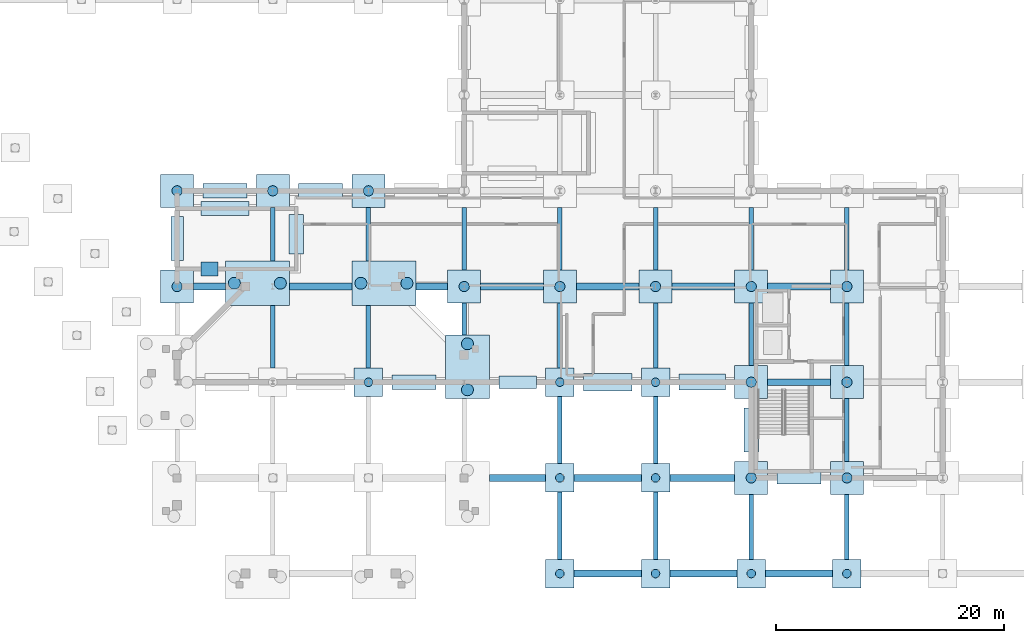
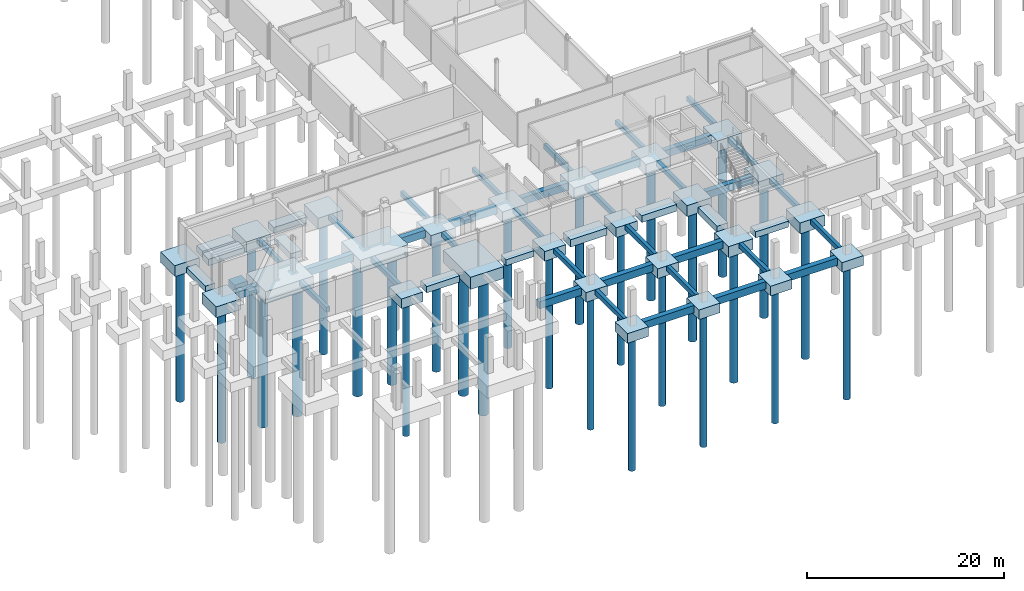
# One storey, part 2 of 43: 72 footings, 28 piles.
"""IFC4 building model written with IfcOpenShell, lengths in metres."""

from ifc_helpers import new_model, si_unit, direction, frame, origin, origin_2d, place, context, subcontext, project, spatial, rectangle, circle, extrude, material, layer, layer_set, material_profile, profile_set, type_object, element, save


model = new_model("IFC4")

# Units and contexts
model_context = context("Model", 3, precision=1e-05, world=origin(), true_north=direction((0.0, 1.0)))
body_context = subcontext(model_context, "Body", "Model", "MODEL_VIEW")
ifc_project = project(units=[si_unit("LENGTHUNIT", "METRE"), si_unit("AREAUNIT", "SQUARE_METRE"), si_unit("VOLUMEUNIT", "CUBIC_METRE"), si_unit("PLANEANGLEUNIT", "RADIAN"), si_unit("MASSUNIT", "GRAM", prefix="KILO")], contexts=[model_context])

# Site, building, storey
site_placement = place(None, origin())
site = spatial("IfcSite", under=ifc_project, at=site_placement, CompositionType="ELEMENT")
building_placement = place(site_placement, origin())
building = spatial("IfcBuilding", under=site, at=building_placement, Name="Mersafa Astral City Hall", CompositionType="ELEMENT")
storey_placement = place(building_placement, frame((0.0, 0.0, -4.5)))
storey = spatial("IfcBuildingStorey", under=building, at=storey_placement, Name="B1", CompositionType="ELEMENT", Elevation=-4.5)

# Footings
ifc_material = material(Name="Concrete C40/50", Category="concrete")
ifc_layer_1 = layer(ifc_material, 1.5, Name="Concrete C40/50")
ifc_layer_set_1 = layer_set([ifc_layer_1], Name="Concrete C40/50 — STR-FTG-PC-1-387X561X1500")
footing_type_1 = type_object("IfcFootingType", Name="STR-FTG-PC-1-387X561X1500", PredefinedType="PILE_CAP", material=ifc_layer_set_1)
footing_1_placement = place(storey_placement, frame((92.68701171875, 18.155029296875, -1.5), z_axis=(0.0, 0.0, 1.0), x_axis=(1.0, 0.0, 0.0)))
element("IfcFooting", 1, at=footing_1_placement, inside=storey, type_object=footing_type_1, Name="Reinforced concrete pile cap 24", PredefinedType="PILE_CAP", context=body_context, shape_type="SweptSolid", body=[
    extrude(rectangle(XDim=3.8740234375, YDim=5.610107421875, at=origin_2d()), origin(), (0.0, 0.0, 1.0), 1.5),
])
for number, where, z_axis, x_axis, name in (
    (2, (74.2451171875, 25.487060546875, -1.5), (0.0, 0.0, 1.0), (1.0, 0.0, 0.0), "Reinforced concrete pile cap 36"),
    (3, (85.35498046875, 25.487060546875, -1.5), (0.0, 0.0, 1.0), (1.0, 0.0, 0.0), "Reinforced concrete pile cap 37"),
):
    element("IfcFooting", number, at=place(storey_placement, frame(where, z_axis=z_axis, x_axis=x_axis)), inside=storey, type_object=footing_type_1, Name=name, PredefinedType="PILE_CAP", context=body_context, shape_type="SweptSolid", body=[
        extrude(rectangle(XDim=5.610107421875, YDim=3.8740234375, at=origin_2d()), origin(), (0.0, 0.0, 1.0), 1.5),
    ])
ifc_layer_2 = layer(ifc_material, 1.199951171875, Name="Concrete C40/50")
ifc_layer_set_2 = layer_set([ifc_layer_2], Name="Concrete C40/50 — STR-FTG-PC-2-250X250X1200")
footing_type_2 = type_object("IfcFootingType", Name="STR-FTG-PC-2-250X250X1200", PredefinedType="PILE_CAP", material=ifc_layer_set_2)
for number, where, z_axis, x_axis, name in (
    (4, (100.800048828125, 0.0, -1.2001953125), (0.0, 0.0, 1.0), (1.0, 0.0, 0.0), "Reinforced concrete pile cap 3"),
    (5, (109.199951171875, 0.0, -1.2001953125), (0.0, 0.0, 1.0), (1.0, 0.0, 0.0), "Reinforced concrete pile cap 4"),
    (6, (117.60009765625, 0.0, -1.2001953125), (0.0, 0.0, 1.0), (1.0, 0.0, 0.0), "Reinforced concrete pile cap 5"),
    (7, (126.0, 0.0, -1.2001953125), (0.0, 0.0, 1.0), (1.0, 0.0, 0.0), "Reinforced concrete pile cap 6"),
    (8, (100.800048828125, 8.39990234375, -1.2001953125), (0.0, 0.0, 1.0), (1.0, 0.0, 0.0), "Reinforced concrete pile cap 18"),
    (9, (109.199951171875, 8.39990234375, -1.2001953125), (0.0, 0.0, 1.0), (1.0, 0.0, 0.0), "Reinforced concrete pile cap 19"),
    (10, (84.0, 16.800048828125, -1.2001953125), (0.0, 0.0, 1.0), (1.0, 0.0, 0.0), "Reinforced concrete pile cap 30"),
    (11, (100.800048828125, 16.800048828125, -1.2001953125), (0.0, 0.0, 1.0), (1.0, 0.0, 0.0), "Reinforced concrete pile cap 31"),
    (12, (109.199951171875, 16.800048828125, -1.2001953125), (0.0, 0.0, 1.0), (1.0, 0.0, 0.0), "Reinforced concrete pile cap 32"),
):
    element("IfcFooting", number, at=place(storey_placement, frame(where, z_axis=z_axis, x_axis=x_axis)), inside=storey, type_object=footing_type_2, Name=name, PredefinedType="PILE_CAP", context=body_context, shape_type="SweptSolid", body=[
        extrude(rectangle(XDim=2.5, YDim=2.5, at=origin_2d()), origin(), (0.0, 0.0, 1.0), 1.199951171875),
    ])
ifc_layer_3 = layer(ifc_material, 1.35009765625, Name="Concrete C40/50")
ifc_layer_set_3 = layer_set([ifc_layer_3], Name="Concrete C40/50 — STR-FTG-PC-3-290X290X1350")
footing_type_3 = type_object("IfcFootingType", Name="STR-FTG-PC-3-290X290X1350", PredefinedType="PILE_CAP", material=ifc_layer_set_3)
for number, where, z_axis, x_axis, name in (
    (13, (117.60009765625, 8.39990234375, -1.35009765625), (0.0, 0.0, 1.0), (1.0, 0.0, 0.0), "Reinforced concrete pile cap 12"),
    (14, (126.0, 8.39990234375, -1.35009765625), (0.0, 0.0, 1.0), (1.0, 0.0, 0.0), "Reinforced concrete pile cap 13"),
    (15, (117.60009765625, 16.800048828125, -1.35009765625), (0.0, 0.0, 1.0), (1.0, 0.0, 0.0), "Reinforced concrete pile cap 25"),
    (16, (126.0, 16.800048828125, -1.35009765625), (0.0, 0.0, 1.0), (1.0, 0.0, 0.0), "Reinforced concrete pile cap 26"),
    (17, (67.199951171875, 25.199951171875, -1.35009765625), (0.0, 0.0, 1.0), (1.0, 0.0, 0.0), "Reinforced concrete pile cap 38"),
    (18, (92.39990234375, 25.199951171875, -1.35009765625), (0.0, 0.0, 1.0), (1.0, 0.0, 0.0), "Reinforced concrete pile cap 39"),
    (19, (100.800048828125, 25.199951171875, -1.35009765625), (0.0, 0.0, 1.0), (1.0, 0.0, 0.0), "Reinforced concrete pile cap 40"),
    (20, (109.199951171875, 25.199951171875, -1.35009765625), (0.0, 0.0, 1.0), (1.0, 0.0, 0.0), "Reinforced concrete pile cap 41"),
    (21, (117.60009765625, 25.199951171875, -1.35009765625), (0.0, 0.0, 1.0), (1.0, 0.0, 0.0), "Reinforced concrete pile cap 42"),
    (22, (126.0, 25.199951171875, -1.35009765625), (0.0, 0.0, 1.0), (1.0, 0.0, 0.0), "Reinforced concrete pile cap 43"),
    (23, (67.199951171875, 33.60009765625, -1.35009765625), (0.0, 0.0, 1.0), (1.0, 0.0, 0.0), "Reinforced concrete pile cap 51"),
    (24, (75.60009765625, 33.60009765625, -1.35009765625), (0.0, 0.0, 1.0), (1.0, 0.0, 0.0), "Reinforced concrete pile cap 52"),
    (25, (84.0, 33.60009765625, -1.35009765625), (0.0, 0.0, 1.0), (1.0, 0.0, 0.0), "Reinforced concrete pile cap 53"),
):
    element("IfcFooting", number, at=place(storey_placement, frame(where, z_axis=z_axis, x_axis=x_axis)), inside=storey, type_object=footing_type_3, Name=name, PredefinedType="PILE_CAP", context=body_context, shape_type="SweptSolid", body=[
        extrude(rectangle(XDim=2.89990234375, YDim=2.89990234375, at=origin_2d()), origin(), (0.0, 0.0, 1.0), 1.35009765625),
    ])
ifc_layer_4 = layer(ifc_material, 0.75, Name="Concrete C40/50")
ifc_layer_set_4 = layer_set([ifc_layer_4], Name="Concrete C40/50 — STR-FTG-STRIP-1")
footing_type_4 = type_object("IfcFootingType", Name="STR-FTG-STRIP-1", PredefinedType="STRIP_FOOTING", material=ifc_layer_set_4)
footing_2_placement = place(storey_placement, frame((121.800048828125, 8.39990234375, -0.75), z_axis=(0.0, 0.0, 1.0), x_axis=(-1.0, 0.0, 0.0)))
element("IfcFooting", 26, at=footing_2_placement, inside=storey, type_object=footing_type_4, Name="Retaining wall strip footing 92", PredefinedType="STRIP_FOOTING", context=body_context, shape_type="SweptSolid", body=[
    extrude(rectangle(XDim=3.860107421875, YDim=1.10009765625, at=origin_2d()), origin(), (0.0, 0.0, 1.0), 0.75),
])
footing_3_placement = place(storey_placement, frame((97.0869140625, 16.800048828125, -0.75), z_axis=(0.0, 0.0, 1.0), x_axis=(-1.0, 0.0, 0.0)))
element("IfcFooting", 27, at=footing_3_placement, inside=storey, type_object=footing_type_4, Name="Retaining wall strip footing 96", PredefinedType="STRIP_FOOTING", context=body_context, shape_type="SweptSolid", body=[
    extrude(rectangle(XDim=3.285888671875, YDim=1.10009765625, at=origin_2d()), origin(), (0.0, 0.0, 1.0), 0.75),
])
footing_4_placement = place(storey_placement, frame((67.199951171875, 29.39990234375, -0.75), z_axis=(0.0, 0.0, 1.0), x_axis=(0.0, 1.0, 0.0)))
element("IfcFooting", 28, at=footing_4_placement, inside=storey, type_object=footing_type_4, Name="Retaining wall strip footing 100", PredefinedType="STRIP_FOOTING", context=body_context, shape_type="SweptSolid", body=[
    extrude(rectangle(XDim=3.860107421875, YDim=1.10009765625, at=origin_2d()), origin(), (0.0, 0.0, 1.0), 0.75),
])
ifc_layer_5 = layer(ifc_material, 0.800048828125, Name="Concrete C40/50")
ifc_layer_set_5 = layer_set([ifc_layer_5], Name="Concrete C40/50 — STR-FTG-STRIP-2")
footing_type_5 = type_object("IfcFootingType", Name="STR-FTG-STRIP-2", PredefinedType="STRIP_FOOTING", material=ifc_layer_set_5)
for number, where, z_axis, x_axis, name in (
    (29, (79.800048828125, 33.60009765625, -0.7998046875), (0.0, 0.0, 1.0), (1.0, 0.0, 0.0), "Retaining wall strip footing 1"),
    (30, (117.60009765625, 12.60009765625, -0.7998046875), (0.0, 0.0, 1.0), (0.0, 1.0, 0.0), "Retaining wall strip footing 93"),
    (31, (88.0, 16.800048828125, -0.7998046875), (0.0, 0.0, 1.0), (-1.0, 0.0, 0.0), "Retaining wall strip footing 97"),
    (32, (71.39990234375, 33.60009765625, -0.7998046875), (0.0, 0.0, 1.0), (1.0, 0.0, 0.0), "Retaining wall strip footing 101"),
):
    element("IfcFooting", number, at=place(storey_placement, frame(where, z_axis=z_axis, x_axis=x_axis)), inside=storey, type_object=footing_type_5, Name=name, PredefinedType="STRIP_FOOTING", context=body_context, shape_type="SweptSolid", body=[
        extrude(rectangle(XDim=3.860107421875, YDim=1.25, at=origin_2d()), origin(), (0.0, 0.0, 1.0), 0.800048828125),
    ])
footing_5_placement = place(storey_placement, frame((70.044921875, 26.7451171875, -0.7998046875), z_axis=(0.0, 0.0, 1.0), x_axis=(1.0, 0.0, 0.0)))
element("IfcFooting", 33, at=footing_5_placement, inside=storey, type_object=footing_type_5, Name="Stair shaft K7 foundation strip footing 105", PredefinedType="STRIP_FOOTING", context=body_context, shape_type="SweptSolid", body=[
    extrude(rectangle(XDim=1.489990234375, YDim=1.25, at=origin_2d()), origin(), (0.0, 0.0, 1.0), 0.800048828125),
])
footing_6_placement = place(storey_placement, frame((77.655029296875, 29.787109375, -0.7998046875), z_axis=(0.0, 0.0, 1.0), x_axis=(0.0, 1.0, 0.0)))
element("IfcFooting", 34, at=footing_6_placement, inside=storey, type_object=footing_type_5, Name="Stair shaft K7 foundation strip footing 106", PredefinedType="STRIP_FOOTING", context=body_context, shape_type="SweptSolid", body=[
    extrude(rectangle(XDim=3.426025390625, YDim=1.25, at=origin_2d()), origin(), (0.0, 0.0, 1.0), 0.800048828125),
])
footing_7_placement = place(storey_placement, frame((71.39990234375, 32.054931640625, -0.7998046875), z_axis=(0.0, 0.0, 1.0), x_axis=(1.0, 0.0, 0.0)))
element("IfcFooting", 35, at=footing_7_placement, inside=storey, type_object=footing_type_5, Name="Stair shaft K7 foundation strip footing 107", PredefinedType="STRIP_FOOTING", context=body_context, shape_type="SweptSolid", body=[
    extrude(rectangle(XDim=4.199951171875, YDim=1.25, at=origin_2d()), origin(), (0.0, 0.0, 1.0), 0.800048828125),
])
ifc_layer_6 = layer(ifc_material, 0.85009765625, Name="Concrete C40/50")
ifc_layer_set_6 = layer_set([ifc_layer_6], Name="Concrete C40/50 — STR-FTG-STRIP-3")
footing_type_6 = type_object("IfcFootingType", Name="STR-FTG-STRIP-3", PredefinedType="STRIP_FOOTING", material=ifc_layer_set_6)
footing_8_placement = place(storey_placement, frame((113.300048828125, 16.800048828125, -0.85009765625), z_axis=(0.0, 0.0, 1.0), x_axis=(-1.0, 0.0, 0.0)))
element("IfcFooting", 36, at=footing_8_placement, inside=storey, type_object=footing_type_6, Name="Retaining wall strip footing 94", PredefinedType="STRIP_FOOTING", context=body_context, shape_type="SweptSolid", body=[
    extrude(rectangle(XDim=4.06005859375, YDim=1.39990234375, at=origin_2d()), origin(), (0.0, 0.0, 1.0), 0.85009765625),
])
ifc_layer_7 = layer(ifc_material, 0.89990234375, Name="Concrete C40/50")
ifc_layer_set_7 = layer_set([ifc_layer_7], Name="Concrete C40/50 — STR-FTG-STRIP-4")
footing_type_7 = type_object("IfcFootingType", Name="STR-FTG-STRIP-4", PredefinedType="STRIP_FOOTING", material=ifc_layer_set_7)
footing_9_placement = place(storey_placement, frame((105.0, 16.800048828125, -0.89990234375), z_axis=(0.0, 0.0, 1.0), x_axis=(-1.0, 0.0, 0.0)))
element("IfcFooting", 37, at=footing_9_placement, inside=storey, type_object=footing_type_7, Name="Retaining wall strip footing 95", PredefinedType="STRIP_FOOTING", context=body_context, shape_type="SweptSolid", body=[
    extrude(rectangle(XDim=4.260009765625, YDim=1.550048828125, at=origin_2d()), origin(), (0.0, 0.0, 1.0), 0.89990234375),
])
ifc_material_profile_1 = material_profile(ifc_material, rectangle(XDim=0.39990234375, YDim=0.60009765625, at=origin_2d()), Name="RC 400x600")
ifc_profile_set_1 = profile_set([ifc_material_profile_1], Name="Concrete C40/50")
footing_type_8 = type_object("IfcFootingType", Name="STR-FTG-TIE-400X600", PredefinedType="FOOTING_BEAM", material=ifc_profile_set_1)
footing_10_placement = place(storey_placement, frame((75.60009765625, 18.048095703125, -0.300048828125), z_axis=(0.0, 1.0, 0.0), x_axis=(-1.0, 0.0, 0.0)))
element("IfcFooting", 38, at=footing_10_placement, inside=storey, type_object=footing_type_8, Name="Reinforced concrete ground tie beam 89", PredefinedType="FOOTING_BEAM", context=body_context, shape_type="SweptSolid", body=[
    extrude(rectangle(XDim=0.39990234375, YDim=0.60009765625, at=origin_2d()), origin(), (0.0, 0.0, 1.0), 5.50390625),
])
footing_11_placement = place(storey_placement, frame((75.60009765625, 27.422119140625, -0.300048828125), z_axis=(0.0, 1.0, 0.0), x_axis=(-1.0, 0.0, 0.0)))
element("IfcFooting", 39, at=footing_11_placement, inside=storey, type_object=footing_type_8, Name="Reinforced concrete ground tie beam 91", PredefinedType="FOOTING_BEAM", context=body_context, shape_type="SweptSolid", body=[
    extrude(rectangle(XDim=0.39990234375, YDim=0.60009765625, at=origin_2d()), origin(), (0.0, 0.0, 1.0), 4.72998046875),
])
footing_12_placement = place(storey_placement, frame((84.0, 18.048095703125, -0.300048828125), z_axis=(0.0, 1.0, 0.0), x_axis=(-1.0, 0.0, 0.0)))
element("IfcFooting", 40, at=footing_12_placement, inside=storey, type_object=footing_type_8, Name="Reinforced concrete ground tie beam 99", PredefinedType="FOOTING_BEAM", context=body_context, shape_type="SweptSolid", body=[
    extrude(rectangle(XDim=0.39990234375, YDim=0.60009765625, at=origin_2d()), origin(), (0.0, 0.0, 1.0), 5.50390625),
])
footing_13_placement = place(storey_placement, frame((84.0, 27.422119140625, -0.300048828125), z_axis=(0.0, 1.0, 0.0), x_axis=(-1.0, 0.0, 0.0)))
element("IfcFooting", 41, at=footing_13_placement, inside=storey, type_object=footing_type_8, Name="Reinforced concrete ground tie beam 101", PredefinedType="FOOTING_BEAM", context=body_context, shape_type="SweptSolid", body=[
    extrude(rectangle(XDim=0.39990234375, YDim=0.60009765625, at=origin_2d()), origin(), (0.0, 0.0, 1.0), 4.72998046875),
])
footing_14_placement = place(storey_placement, frame((92.39990234375, 20.9580078125, -0.300048828125), z_axis=(0.0, 1.0, 0.0), x_axis=(-1.0, 0.0, 0.0)))
element("IfcFooting", 42, at=footing_14_placement, inside=storey, type_object=footing_type_8, Name="Reinforced concrete ground tie beam 108", PredefinedType="FOOTING_BEAM", context=body_context, shape_type="SweptSolid", body=[
    extrude(rectangle(XDim=0.39990234375, YDim=0.60009765625, at=origin_2d()), origin(), (0.0, 0.0, 1.0), 2.7939453125),
])
footing_15_placement = place(storey_placement, frame((92.39990234375, 26.64794921875, -0.300048828125), z_axis=(0.0, 1.0, 0.0), x_axis=(-1.0, 0.0, 0.0)))
element("IfcFooting", 43, at=footing_15_placement, inside=storey, type_object=footing_type_8, Name="Reinforced concrete ground tie beam 110", PredefinedType="FOOTING_BEAM", context=body_context, shape_type="SweptSolid", body=[
    extrude(rectangle(XDim=0.39990234375, YDim=0.60009765625, at=origin_2d()), origin(), (0.0, 0.0, 1.0), 5.504150390625),
])
for number, where, z_axis, x_axis, name in (
    (44, (100.800048828125, 1.248046875, -0.300048828125), (0.0, 1.0, 0.0), (-1.0, 0.0, 0.0), "Reinforced concrete ground tie beam 124"),
    (45, (100.800048828125, 9.64794921875, -0.300048828125), (0.0, 1.0, 0.0), (-1.0, 0.0, 0.0), "Reinforced concrete ground tie beam 126"),
):
    element("IfcFooting", number, at=place(storey_placement, frame(where, z_axis=z_axis, x_axis=x_axis)), inside=storey, type_object=footing_type_8, Name=name, PredefinedType="FOOTING_BEAM", context=body_context, shape_type="SweptSolid", body=[
        extrude(rectangle(XDim=0.39990234375, YDim=0.60009765625, at=origin_2d()), origin(), (0.0, 0.0, 1.0), 5.904052734375),
    ])
footing_16_placement = place(storey_placement, frame((100.800048828125, 18.048095703125, -0.300048828125), z_axis=(0.0, 1.0, 0.0), x_axis=(-1.0, 0.0, 0.0)))
element("IfcFooting", 46, at=footing_16_placement, inside=storey, type_object=footing_type_8, Name="Reinforced concrete ground tie beam 127", PredefinedType="FOOTING_BEAM", context=body_context, shape_type="SweptSolid", body=[
    extrude(rectangle(XDim=0.39990234375, YDim=0.60009765625, at=origin_2d()), origin(), (0.0, 0.0, 1.0), 5.703857421875),
])
footing_17_placement = place(storey_placement, frame((100.800048828125, 26.64794921875, -0.300048828125), z_axis=(0.0, 1.0, 0.0), x_axis=(-1.0, 0.0, 0.0)))
element("IfcFooting", 47, at=footing_17_placement, inside=storey, type_object=footing_type_8, Name="Reinforced concrete ground tie beam 129", PredefinedType="FOOTING_BEAM", context=body_context, shape_type="SweptSolid", body=[
    extrude(rectangle(XDim=0.39990234375, YDim=0.60009765625, at=origin_2d()), origin(), (0.0, 0.0, 1.0), 5.504150390625),
])
for number, where, z_axis, x_axis, name in (
    (48, (109.199951171875, 1.248046875, -0.300048828125), (0.0, 1.0, 0.0), (-1.0, 0.0, 0.0), "Reinforced concrete ground tie beam 153"),
    (49, (109.199951171875, 9.64794921875, -0.300048828125), (0.0, 1.0, 0.0), (-1.0, 0.0, 0.0), "Reinforced concrete ground tie beam 155"),
):
    element("IfcFooting", number, at=place(storey_placement, frame(where, z_axis=z_axis, x_axis=x_axis)), inside=storey, type_object=footing_type_8, Name=name, PredefinedType="FOOTING_BEAM", context=body_context, shape_type="SweptSolid", body=[
        extrude(rectangle(XDim=0.39990234375, YDim=0.60009765625, at=origin_2d()), origin(), (0.0, 0.0, 1.0), 5.904052734375),
    ])
footing_18_placement = place(storey_placement, frame((109.199951171875, 18.048095703125, -0.300048828125), z_axis=(0.0, 1.0, 0.0), x_axis=(-1.0, 0.0, 0.0)))
element("IfcFooting", 50, at=footing_18_placement, inside=storey, type_object=footing_type_8, Name="Reinforced concrete ground tie beam 156", PredefinedType="FOOTING_BEAM", context=body_context, shape_type="SweptSolid", body=[
    extrude(rectangle(XDim=0.39990234375, YDim=0.60009765625, at=origin_2d()), origin(), (0.0, 0.0, 1.0), 5.703857421875),
])
footing_19_placement = place(storey_placement, frame((109.199951171875, 26.64794921875, -0.300048828125), z_axis=(0.0, 1.0, 0.0), x_axis=(-1.0, 0.0, 0.0)))
element("IfcFooting", 51, at=footing_19_placement, inside=storey, type_object=footing_type_8, Name="Reinforced concrete ground tie beam 158", PredefinedType="FOOTING_BEAM", context=body_context, shape_type="SweptSolid", body=[
    extrude(rectangle(XDim=0.39990234375, YDim=0.60009765625, at=origin_2d()), origin(), (0.0, 0.0, 1.0), 5.504150390625),
])
footing_20_placement = place(storey_placement, frame((117.60009765625, 1.248046875, -0.300048828125), z_axis=(0.0, 1.0, 0.0), x_axis=(-1.0, 0.0, 0.0)))
element("IfcFooting", 52, at=footing_20_placement, inside=storey, type_object=footing_type_8, Name="Reinforced concrete ground tie beam 182", PredefinedType="FOOTING_BEAM", context=body_context, shape_type="SweptSolid", body=[
    extrude(rectangle(XDim=0.39990234375, YDim=0.60009765625, at=origin_2d()), origin(), (0.0, 0.0, 1.0), 5.703857421875),
])
footing_21_placement = place(storey_placement, frame((117.60009765625, 18.248046875, -0.300048828125), z_axis=(0.0, 1.0, 0.0), x_axis=(-1.0, 0.0, 0.0)))
element("IfcFooting", 53, at=footing_21_placement, inside=storey, type_object=footing_type_8, Name="Reinforced concrete ground tie beam 184", PredefinedType="FOOTING_BEAM", context=body_context, shape_type="SweptSolid", body=[
    extrude(rectangle(XDim=0.39990234375, YDim=0.60009765625, at=origin_2d()), origin(), (0.0, 0.0, 1.0), 5.50390625),
])
footing_22_placement = place(storey_placement, frame((117.60009765625, 26.64794921875, -0.300048828125), z_axis=(0.0, 1.0, 0.0), x_axis=(-1.0, 0.0, 0.0)))
element("IfcFooting", 54, at=footing_22_placement, inside=storey, type_object=footing_type_8, Name="Reinforced concrete ground tie beam 186", PredefinedType="FOOTING_BEAM", context=body_context, shape_type="SweptSolid", body=[
    extrude(rectangle(XDim=0.39990234375, YDim=0.60009765625, at=origin_2d()), origin(), (0.0, 0.0, 1.0), 5.504150390625),
])
footing_23_placement = place(storey_placement, frame((126.0, 1.248046875, -0.300048828125), z_axis=(0.0, 1.0, 0.0), x_axis=(-1.0, 0.0, 0.0)))
element("IfcFooting", 55, at=footing_23_placement, inside=storey, type_object=footing_type_8, Name="Reinforced concrete ground tie beam 190", PredefinedType="FOOTING_BEAM", context=body_context, shape_type="SweptSolid", body=[
    extrude(rectangle(XDim=0.39990234375, YDim=0.60009765625, at=origin_2d()), origin(), (0.0, 0.0, 1.0), 5.703857421875),
])
footing_24_placement = place(storey_placement, frame((126.0, 9.847900390625, -0.300048828125), z_axis=(0.0, 1.0, 0.0), x_axis=(-1.0, 0.0, 0.0)))
element("IfcFooting", 56, at=footing_24_placement, inside=storey, type_object=footing_type_8, Name="Reinforced concrete ground tie beam 191", PredefinedType="FOOTING_BEAM", context=body_context, shape_type="SweptSolid", body=[
    extrude(rectangle(XDim=0.39990234375, YDim=0.60009765625, at=origin_2d()), origin(), (0.0, 0.0, 1.0), 5.504150390625),
])
footing_25_placement = place(storey_placement, frame((126.0, 18.248046875, -0.300048828125), z_axis=(0.0, 1.0, 0.0), x_axis=(-1.0, 0.0, 0.0)))
element("IfcFooting", 57, at=footing_25_placement, inside=storey, type_object=footing_type_8, Name="Reinforced concrete ground tie beam 193", PredefinedType="FOOTING_BEAM", context=body_context, shape_type="SweptSolid", body=[
    extrude(rectangle(XDim=0.39990234375, YDim=0.60009765625, at=origin_2d()), origin(), (0.0, 0.0, 1.0), 5.50390625),
])
footing_26_placement = place(storey_placement, frame((126.0, 26.64794921875, -0.300048828125), z_axis=(0.0, 1.0, 0.0), x_axis=(-1.0, 0.0, 0.0)))
element("IfcFooting", 58, at=footing_26_placement, inside=storey, type_object=footing_type_8, Name="Reinforced concrete ground tie beam 195", PredefinedType="FOOTING_BEAM", context=body_context, shape_type="SweptSolid", body=[
    extrude(rectangle(XDim=0.39990234375, YDim=0.60009765625, at=origin_2d()), origin(), (0.0, 0.0, 1.0), 5.504150390625),
])
ifc_material_profile_2 = material_profile(ifc_material, rectangle(XDim=0.60009765625, YDim=0.89990234375, at=origin_2d()), Name="RC 600x900")
ifc_profile_set_2 = profile_set([ifc_material_profile_2], Name="Concrete C40/50")
footing_type_9 = type_object("IfcFootingType", Name="STR-FTG-TIE-600X900", PredefinedType="FOOTING_BEAM", material=ifc_profile_set_2)
footing_27_placement = place(storey_placement, frame((68.64794921875, 25.199951171875, -0.449951171875), z_axis=(1.0, 0.0, 0.0), x_axis=(0.0, 1.0, 0.0)))
element("IfcFooting", 59, at=footing_27_placement, inside=storey, type_object=footing_type_9, Name="Reinforced concrete ground tie beam 79", PredefinedType="FOOTING_BEAM", context=body_context, shape_type="SweptSolid", body=[
    extrude(rectangle(XDim=0.60009765625, YDim=0.89990234375, at=origin_2d()), origin(), (0.0, 0.0, 1.0), 2.7939453125),
])
footing_28_placement = place(storey_placement, frame((77.048095703125, 25.199951171875, -0.449951171875), z_axis=(1.0, 0.0, 0.0), x_axis=(0.0, 1.0, 0.0)))
element("IfcFooting", 60, at=footing_28_placement, inside=storey, type_object=footing_type_9, Name="Reinforced concrete ground tie beam 90", PredefinedType="FOOTING_BEAM", context=body_context, shape_type="SweptSolid", body=[
    extrude(rectangle(XDim=0.60009765625, YDim=0.89990234375, at=origin_2d()), origin(), (0.0, 0.0, 1.0), 5.50390625),
])
footing_29_placement = place(storey_placement, frame((88.157958984375, 25.199951171875, -0.449951171875), z_axis=(1.0, 0.0, 0.0), x_axis=(0.0, 1.0, 0.0)))
element("IfcFooting", 61, at=footing_29_placement, inside=storey, type_object=footing_type_9, Name="Reinforced concrete ground tie beam 100", PredefinedType="FOOTING_BEAM", context=body_context, shape_type="SweptSolid", body=[
    extrude(rectangle(XDim=0.60009765625, YDim=0.89990234375, at=origin_2d()), origin(), (0.0, 0.0, 1.0), 2.7939453125),
])
footing_30_placement = place(storey_placement, frame((94.6220703125, 8.39990234375, -0.449951171875), z_axis=(1.0, 0.0, 0.0), x_axis=(0.0, 1.0, 0.0)))
element("IfcFooting", 62, at=footing_30_placement, inside=storey, type_object=footing_type_9, Name="Reinforced concrete ground tie beam 106", PredefinedType="FOOTING_BEAM", context=body_context, shape_type="SweptSolid", body=[
    extrude(rectangle(XDim=0.60009765625, YDim=0.89990234375, at=origin_2d()), origin(), (0.0, 0.0, 1.0), 4.929931640625),
])
footing_31_placement = place(storey_placement, frame((93.847900390625, 25.199951171875, -0.449951171875), z_axis=(1.0, 0.0, 0.0), x_axis=(0.0, 1.0, 0.0)))
element("IfcFooting", 63, at=footing_31_placement, inside=storey, type_object=footing_type_9, Name="Reinforced concrete ground tie beam 109", PredefinedType="FOOTING_BEAM", context=body_context, shape_type="SweptSolid", body=[
    extrude(rectangle(XDim=0.60009765625, YDim=0.89990234375, at=origin_2d()), origin(), (0.0, 0.0, 1.0), 5.504150390625),
])
for number, where, z_axis, x_axis, name in (
    (64, (102.048095703125, 0.0, -0.449951171875), (1.0, 0.0, 0.0), (0.0, 1.0, 0.0), "Reinforced concrete ground tie beam 123"),
    (65, (102.048095703125, 8.39990234375, -0.449951171875), (1.0, 0.0, 0.0), (0.0, 1.0, 0.0), "Reinforced concrete ground tie beam 125"),
):
    element("IfcFooting", number, at=place(storey_placement, frame(where, z_axis=z_axis, x_axis=x_axis)), inside=storey, type_object=footing_type_9, Name=name, PredefinedType="FOOTING_BEAM", context=body_context, shape_type="SweptSolid", body=[
        extrude(rectangle(XDim=0.60009765625, YDim=0.89990234375, at=origin_2d()), origin(), (0.0, 0.0, 1.0), 5.90380859375),
    ])
footing_32_placement = place(storey_placement, frame((102.248046875, 25.199951171875, -0.449951171875), z_axis=(1.0, 0.0, 0.0), x_axis=(0.0, 1.0, 0.0)))
element("IfcFooting", 66, at=footing_32_placement, inside=storey, type_object=footing_type_9, Name="Reinforced concrete ground tie beam 128", PredefinedType="FOOTING_BEAM", context=body_context, shape_type="SweptSolid", body=[
    extrude(rectangle(XDim=0.60009765625, YDim=0.89990234375, at=origin_2d()), origin(), (0.0, 0.0, 1.0), 5.50390625),
])
footing_33_placement = place(storey_placement, frame((110.447998046875, 0.0, -0.449951171875), z_axis=(1.0, 0.0, 0.0), x_axis=(0.0, 1.0, 0.0)))
element("IfcFooting", 67, at=footing_33_placement, inside=storey, type_object=footing_type_9, Name="Reinforced concrete ground tie beam 152", PredefinedType="FOOTING_BEAM", context=body_context, shape_type="SweptSolid", body=[
    extrude(rectangle(XDim=0.60009765625, YDim=0.89990234375, at=origin_2d()), origin(), (0.0, 0.0, 1.0), 5.904052734375),
])
footing_34_placement = place(storey_placement, frame((110.447998046875, 8.39990234375, -0.449951171875), z_axis=(1.0, 0.0, 0.0), x_axis=(0.0, 1.0, 0.0)))
element("IfcFooting", 68, at=footing_34_placement, inside=storey, type_object=footing_type_9, Name="Reinforced concrete ground tie beam 154", PredefinedType="FOOTING_BEAM", context=body_context, shape_type="SweptSolid", body=[
    extrude(rectangle(XDim=0.60009765625, YDim=0.89990234375, at=origin_2d()), origin(), (0.0, 0.0, 1.0), 5.7041015625),
])
footing_35_placement = place(storey_placement, frame((110.64794921875, 25.199951171875, -0.449951171875), z_axis=(1.0, 0.0, 0.0), x_axis=(0.0, 1.0, 0.0)))
element("IfcFooting", 69, at=footing_35_placement, inside=storey, type_object=footing_type_9, Name="Reinforced concrete ground tie beam 157", PredefinedType="FOOTING_BEAM", context=body_context, shape_type="SweptSolid", body=[
    extrude(rectangle(XDim=0.60009765625, YDim=0.89990234375, at=origin_2d()), origin(), (0.0, 0.0, 1.0), 5.504150390625),
])
footing_36_placement = place(storey_placement, frame((118.847900390625, 0.0, -0.449951171875), z_axis=(1.0, 0.0, 0.0), x_axis=(0.0, 1.0, 0.0)))
element("IfcFooting", 70, at=footing_36_placement, inside=storey, type_object=footing_type_9, Name="Reinforced concrete ground tie beam 181", PredefinedType="FOOTING_BEAM", context=body_context, shape_type="SweptSolid", body=[
    extrude(rectangle(XDim=0.60009765625, YDim=0.89990234375, at=origin_2d()), origin(), (0.0, 0.0, 1.0), 5.904052734375),
])
for number, where, z_axis, x_axis, name in (
    (71, (119.048095703125, 16.800048828125, -0.449951171875), (1.0, 0.0, 0.0), (0.0, 1.0, 0.0), "Reinforced concrete ground tie beam 183"),
    (72, (119.048095703125, 25.199951171875, -0.449951171875), (1.0, 0.0, 0.0), (0.0, 1.0, 0.0), "Reinforced concrete ground tie beam 185"),
):
    element("IfcFooting", number, at=place(storey_placement, frame(where, z_axis=z_axis, x_axis=x_axis)), inside=storey, type_object=footing_type_9, Name=name, PredefinedType="FOOTING_BEAM", context=body_context, shape_type="SweptSolid", body=[
        extrude(rectangle(XDim=0.60009765625, YDim=0.89990234375, at=origin_2d()), origin(), (0.0, 0.0, 1.0), 5.50390625),
    ])

# Piles
ifc_material_profile_3 = material_profile(ifc_material, circle(Radius=0.52490234375, at=origin_2d()), Name="PILE D1050")
ifc_profile_set_3 = profile_set([ifc_material_profile_3], Name="Concrete C40/50")
pile_type_1 = type_object("IfcPileType", Name="STR-PILE-D1050", PredefinedType="BORED", material=ifc_profile_set_3)
for number, where, z_axis, x_axis, name in (
    (73, (92.68701171875, 16.135009765625, -1.35009765625), (0.0, 0.0, -1.0), (1.0, 0.0, 0.0), "Bored concrete pile 33"),
    (74, (92.68701171875, 20.175048828125, -1.35009765625), (0.0, 0.0, -1.0), (1.0, 0.0, 0.0), "Bored concrete pile 34"),
    (75, (72.22509765625, 25.487060546875, -1.35009765625), (0.0, 0.0, -1.0), (1.0, 0.0, 0.0), "Bored concrete pile 46"),
    (76, (76.264892578125, 25.487060546875, -1.35009765625), (0.0, 0.0, -1.0), (1.0, 0.0, 0.0), "Bored concrete pile 47"),
    (77, (83.3349609375, 25.487060546875, -1.35009765625), (0.0, 0.0, -1.0), (1.0, 0.0, 0.0), "Bored concrete pile 48"),
    (78, (87.375, 25.487060546875, -1.35009765625), (0.0, 0.0, -1.0), (1.0, 0.0, 0.0), "Bored concrete pile 49"),
):
    element("IfcPile", number, at=place(storey_placement, frame(where, z_axis=z_axis, x_axis=x_axis)), inside=storey, type_object=pile_type_1, Name=name, PredefinedType="BORED", context=body_context, shape_type="SweptSolid", body=[
        extrude(circle(Radius=0.52490234375, at=origin_2d()), origin(), (0.0, 0.0, 1.0), 16.64990234375),
    ])
ifc_material_profile_4 = material_profile(ifc_material, circle(Radius=0.375, at=origin_2d()), Name="PILE D750")
ifc_profile_set_4 = profile_set([ifc_material_profile_4], Name="Concrete C40/50")
pile_type_2 = type_object("IfcPileType", Name="STR-PILE-D750", PredefinedType="BORED", material=ifc_profile_set_4)
for number, where, z_axis, x_axis, name in (
    (79, (100.800048828125, 0.0, -1.050048828125), (0.0, 0.0, -1.0), (1.0, 0.0, 0.0), "Bored concrete pile 5"),
    (80, (109.199951171875, 0.0, -1.050048828125), (0.0, 0.0, -1.0), (1.0, 0.0, 0.0), "Bored concrete pile 6"),
    (81, (117.60009765625, 0.0, -1.050048828125), (0.0, 0.0, -1.0), (1.0, 0.0, 0.0), "Bored concrete pile 7"),
    (82, (126.0, 0.0, -1.050048828125), (0.0, 0.0, -1.0), (1.0, 0.0, 0.0), "Bored concrete pile 8"),
    (83, (100.800048828125, 8.39990234375, -1.050048828125), (0.0, 0.0, -1.0), (1.0, 0.0, 0.0), "Bored concrete pile 22"),
    (84, (109.199951171875, 8.39990234375, -1.050048828125), (0.0, 0.0, -1.0), (1.0, 0.0, 0.0), "Bored concrete pile 23"),
    (85, (84.0, 16.800048828125, -1.050048828125), (0.0, 0.0, -1.0), (1.0, 0.0, 0.0), "Bored concrete pile 40"),
    (86, (100.800048828125, 16.800048828125, -1.050048828125), (0.0, 0.0, -1.0), (1.0, 0.0, 0.0), "Bored concrete pile 41"),
    (87, (109.199951171875, 16.800048828125, -1.050048828125), (0.0, 0.0, -1.0), (1.0, 0.0, 0.0), "Bored concrete pile 42"),
):
    element("IfcPile", number, at=place(storey_placement, frame(where, z_axis=z_axis, x_axis=x_axis)), inside=storey, type_object=pile_type_2, Name=name, PredefinedType="BORED", context=body_context, shape_type="SweptSolid", body=[
        extrude(circle(Radius=0.375, at=origin_2d()), origin(), (0.0, 0.0, 1.0), 16.949951171875),
    ])
ifc_material_profile_5 = material_profile(ifc_material, circle(Radius=0.449951171875, at=origin_2d()), Name="PILE D900")
ifc_profile_set_5 = profile_set([ifc_material_profile_5], Name="Concrete C40/50")
pile_type_3 = type_object("IfcPileType", Name="STR-PILE-D900", PredefinedType="BORED", material=ifc_profile_set_5)
for number, where, z_axis, x_axis, name in (
    (88, (117.60009765625, 8.39990234375, -1.199951171875), (0.0, 0.0, -1.0), (1.0, 0.0, 0.0), "Bored concrete pile 16"),
    (89, (126.0, 8.39990234375, -1.199951171875), (0.0, 0.0, -1.0), (1.0, 0.0, 0.0), "Bored concrete pile 17"),
    (90, (117.60009765625, 16.800048828125, -1.199951171875), (0.0, 0.0, -1.0), (1.0, 0.0, 0.0), "Bored concrete pile 35"),
    (91, (126.0, 16.800048828125, -1.199951171875), (0.0, 0.0, -1.0), (1.0, 0.0, 0.0), "Bored concrete pile 36"),
    (92, (67.199951171875, 25.199951171875, -1.199951171875), (0.0, 0.0, -1.0), (1.0, 0.0, 0.0), "Bored concrete pile 50"),
    (93, (92.39990234375, 25.199951171875, -1.199951171875), (0.0, 0.0, -1.0), (1.0, 0.0, 0.0), "Bored concrete pile 51"),
    (94, (100.800048828125, 25.199951171875, -1.199951171875), (0.0, 0.0, -1.0), (1.0, 0.0, 0.0), "Bored concrete pile 52"),
    (95, (109.199951171875, 25.199951171875, -1.199951171875), (0.0, 0.0, -1.0), (1.0, 0.0, 0.0), "Bored concrete pile 53"),
    (96, (117.60009765625, 25.199951171875, -1.199951171875), (0.0, 0.0, -1.0), (1.0, 0.0, 0.0), "Bored concrete pile 54"),
    (97, (126.0, 25.199951171875, -1.199951171875), (0.0, 0.0, -1.0), (1.0, 0.0, 0.0), "Bored concrete pile 55"),
    (98, (67.199951171875, 33.60009765625, -1.199951171875), (0.0, 0.0, -1.0), (1.0, 0.0, 0.0), "Bored concrete pile 63"),
    (99, (75.60009765625, 33.60009765625, -1.199951171875), (0.0, 0.0, -1.0), (1.0, 0.0, 0.0), "Bored concrete pile 64"),
    (100, (84.0, 33.60009765625, -1.199951171875), (0.0, 0.0, -1.0), (1.0, 0.0, 0.0), "Bored concrete pile 65"),
):
    element("IfcPile", number, at=place(storey_placement, frame(where, z_axis=z_axis, x_axis=x_axis)), inside=storey, type_object=pile_type_3, Name=name, PredefinedType="BORED", context=body_context, shape_type="SweptSolid", body=[
        extrude(circle(Radius=0.449951171875, at=origin_2d()), origin(), (0.0, 0.0, 1.0), 16.800048828125),
    ])

save(model, "model.ifc")
